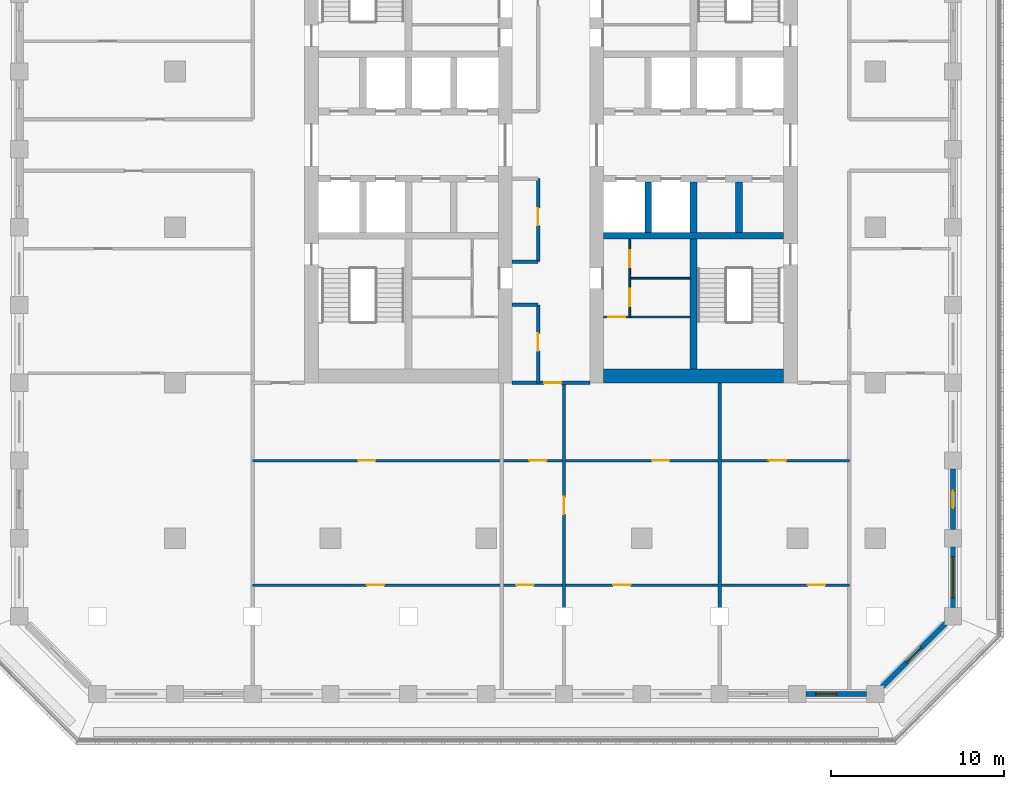
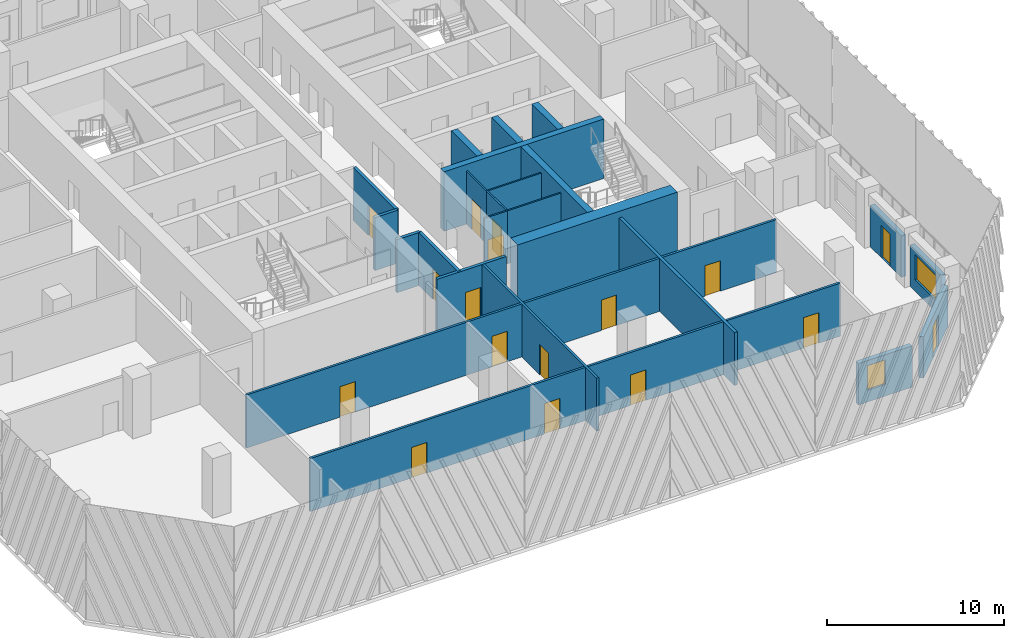
# One storey, part 4 of 17: 24 walls, 17 doors, 2 windows, 19 openings.
"""IFC4 building model written with IfcOpenShell, lengths in metres."""

from ifc_helpers import new_model, si_unit, direction, frame, frame_2d, origin, place, context, subcontext, project, spatial, rectangle, extrude, material, layer, layer_set, type_object, element, fill, save


model = new_model("IFC4")

# Units and contexts
model_context = context("Model", 3, precision=1e-05, world=origin(), true_north=direction((0.0, 1.0)))
body_context = subcontext(model_context, "Body", "Model", "MODEL_VIEW")
ifc_project = project(units=[si_unit("LENGTHUNIT", "METRE"), si_unit("AREAUNIT", "SQUARE_METRE"), si_unit("VOLUMEUNIT", "CUBIC_METRE"), si_unit("PLANEANGLEUNIT", "RADIAN"), si_unit("MASSUNIT", "GRAM", prefix="KILO")], contexts=[model_context])

# Site, building, storey
site_placement = place(None, origin())
site = spatial("IfcSite", under=ifc_project, at=site_placement, CompositionType="ELEMENT")
building_placement = place(site_placement, origin())
building = spatial("IfcBuilding", under=site, at=building_placement, Name="Corbel Stack Research Tower", CompositionType="ELEMENT")
storey_placement = place(building_placement, frame((0.0, 0.0, 156.800048828125)))
storey = spatial("IfcBuildingStorey", under=building, at=storey_placement, Name="L35", CompositionType="ELEMENT", Elevation=156.800048828125)

# Walls
ifc_material_1 = material(Name="Concrete C60/75", Category="concrete")
ifc_layer_1 = layer(ifc_material_1, 0.39990234375)
ifc_layer_set_1 = layer_set([ifc_layer_1], Name="Concrete C60/75")
wall_type_1 = type_object("IfcWallType", Name="CW-400-60", PredefinedType="SHEAR", material=ifc_layer_set_1)
wall_1_placement = place(storey_placement, frame((6.800048828125, -0.5, 0.0), z_axis=(0.0, 0.0, 1.0), x_axis=(1.0, 0.0, 0.0)))
element("IfcWall", 1, at=wall_1_placement, inside=storey, type_object=wall_type_1, Name="East core wall, south row back L35", PredefinedType="SHEAR", context=body_context, shape_type="SweptSolid", body=[
    extrude(rectangle(XDim=10.39990234375, YDim=0.39990234375, at=frame_2d((5.199951171875, 0.0))), origin(), (0.0, 0.0, 1.0), 4.099853515625),
])
for number, where, z_axis, x_axis, name in (
    (2, (9.375, -0.300048828125, 0.0), (0.0, 0.0, 1.0), (0.0, 1.0, 0.0), "East core wall, south shaft 1 L35"),
    (3, (12.0, -0.300048828125, 0.0), (0.0, 0.0, 1.0), (0.0, 1.0, 0.0), "East core wall, south shaft 2 L35"),
    (4, (14.625, -0.300048828125, 0.0), (0.0, 0.0, 1.0), (0.0, 1.0, 0.0), "East core wall, south shaft 3 L35"),
):
    element("IfcWall", number, at=place(storey_placement, frame(where, z_axis=z_axis, x_axis=x_axis)), inside=storey, type_object=wall_type_1, Name=name, PredefinedType="SHEAR", context=body_context, shape_type="SweptSolid", body=[
        extrude(rectangle(XDim=2.900146484375, YDim=0.39990234375, at=frame_2d((1.4501953125, 0.0))), origin(), (0.0, 0.0, 1.0), 4.099853515625),
    ])
wall_2_placement = place(storey_placement, frame((12.0, -8.199951171875, 0.0), z_axis=(0.0, 0.0, 1.0), x_axis=(0.0, 1.0, 0.0)))
element("IfcWall", 5, at=wall_2_placement, inside=storey, type_object=wall_type_1, Name="East core wall, south stair and WC L35", PredefinedType="SHEAR", context=body_context, shape_type="SweptSolid", body=[
    extrude(rectangle(XDim=7.5, YDim=0.39990234375, at=frame_2d((3.75, 0.0))), origin(), (0.0, 0.0, 1.0), 4.099853515625),
])
ifc_material_2 = material(Name="Concrete C60/75", Category="concrete")
ifc_layer_2 = layer(ifc_material_2, 0.800048828125)
ifc_layer_set_2 = layer_set([ifc_layer_2], Name="Concrete C60/75")
wall_type_2 = type_object("IfcWallType", Name="CW-800-60", PredefinedType="SHEAR", material=ifc_layer_set_2)
wall_3_placement = place(storey_placement, frame((6.800048828125, -8.60009765625, 0.0), z_axis=(0.0, 0.0, 1.0), x_axis=(1.0, 0.0, 0.0)))
element("IfcWall", 6, at=wall_3_placement, inside=storey, type_object=wall_type_2, Name="East core wall, south end L35", PredefinedType="SHEAR", context=body_context, shape_type="SweptSolid", body=[
    extrude(rectangle(XDim=10.39990234375, YDim=0.800048828125, at=frame_2d((5.199951171875, 0.0))), origin(), (0.0, 0.0, 1.0), 4.099853515625),
])

# Wall, opening, door
ifc_material_3 = material(Name="Gypsum board")
ifc_layer_3 = layer(ifc_material_3, 0.10009765625)
ifc_layer_set_3 = layer_set([ifc_layer_3], Name="Gypsum board")
wall_type_3 = type_object("IfcWallType", Name="Core partition 100", PredefinedType="PARTITIONING", material=ifc_layer_set_3)
wall_4_placement = place(storey_placement, frame((6.800048828125, -5.199951171875, 0.0), z_axis=(0.0, 0.0, 1.0), x_axis=(1.0, 0.0, 0.0)))
wall_4 = element("IfcWall", 7, at=wall_4_placement, inside=storey, type_object=wall_type_3, Name="Core partition E", PredefinedType="PARTITIONING", context=body_context, shape_type="SweptSolid", body=[
    extrude(rectangle(XDim=1.5, YDim=0.10009765625, at=frame_2d((0.75, 0.0))), origin(), (0.0, 0.0, 1.0), 3.64990234375),
])
opening_1_placement = place(wall_4_placement, frame((0.25, 0.0, 0.0)))
opening_1 = element("IfcOpeningElement", 8, at=opening_1_placement, cuts=wall_4, Name="Opening CR-E66-W2-1000", PredefinedType="OPENING", context=body_context, shape_type="SweptSolid", body=[
    extrude(rectangle(XDim=1.0, YDim=2.10009765625, at=frame_2d((0.5, 1.050048828125))), frame((0.0, 0.06005859375, 0.0), z_axis=(0.0, -1.0, 0.0), x_axis=(1.0, 0.0, 0.0)), (0.0, 0.0, 1.0), 0.1201171875),
])
ifc_material_4 = material(Name="Painted timber door", Category="wood")
door_type_1 = type_object("IfcDoorType", Name="WC door 1000 x 2100 left hand", OperationType="SINGLE_SWING_LEFT", PredefinedType="DOOR", material=ifc_material_4)
door_1_placement = place(opening_1_placement, origin())
door_1 = element("IfcDoor", 9, at=door_1_placement, inside=storey, type_object=door_type_1, Name="Accessible WC door E core", OperationType="SINGLE_SWING_LEFT", OverallHeight=2.10009765625, OverallWidth=1.0, PredefinedType="DOOR", context=body_context, shape_type="SweptSolid", body=[
    extrude(rectangle(XDim=1.0, YDim=2.10009765625, at=frame_2d((0.5, 1.050048828125))), frame((0.0, 0.02490234375, 0.0), z_axis=(0.0, -1.0, 0.0), x_axis=(1.0, 0.0, 0.0)), (0.0, 0.0, 1.0), 0.050048828125),
])
fill(opening_1, door_1)

wall_5_placement = place(storey_placement, frame((8.300048828125, -5.199951171875, 0.0), z_axis=(0.0, 0.0, 1.0), x_axis=(0.0, 1.0, 0.0)))
wall_5 = element("IfcWall", 10, at=wall_5_placement, inside=storey, type_object=wall_type_3, Name="Core partition E", PredefinedType="PARTITIONING", context=body_context, shape_type="SweptSolid", body=[
    extrude(rectangle(XDim=2.25, YDim=0.10009765625, at=frame_2d((1.125, 0.0))), origin(), (0.0, 0.0, 1.0), 3.64990234375),
])
opening_2_placement = place(wall_5_placement, frame((0.625, 0.0, 0.0)))
opening_2 = element("IfcOpeningElement", 11, at=opening_2_placement, cuts=wall_5, Name="Opening CR-E66-W3-1000", PredefinedType="OPENING", context=body_context, shape_type="SweptSolid", body=[
    extrude(rectangle(XDim=1.0, YDim=2.10009765625, at=frame_2d((0.5, 1.050048828125))), frame((0.0, 0.06005859375, 0.0), z_axis=(0.0, -1.0, 0.0), x_axis=(1.0, 0.0, 0.0)), (0.0, 0.0, 1.0), 0.1201171875),
])
ifc_material_5 = material(Name="Painted timber door", Category="wood")
door_type_2 = type_object("IfcDoorType", Name="WC door 1000 x 2100 right hand", OperationType="SINGLE_SWING_RIGHT", PredefinedType="DOOR", material=ifc_material_5)
door_2_placement = place(opening_2_placement, origin())
door_2 = element("IfcDoor", 12, at=door_2_placement, inside=storey, type_object=door_type_2, Name="Men's WC door E core", OperationType="SINGLE_SWING_RIGHT", OverallHeight=2.10009765625, OverallWidth=1.0, PredefinedType="DOOR", context=body_context, shape_type="SweptSolid", body=[
    extrude(rectangle(XDim=1.0, YDim=2.10009765625, at=frame_2d((0.5, 1.050048828125))), frame((0.0, 0.02490234375, 0.0), z_axis=(0.0, -1.0, 0.0), x_axis=(1.0, 0.0, 0.0)), (0.0, 0.0, 1.0), 0.050048828125),
])
fill(opening_2, door_2)

wall_6_placement = place(storey_placement, frame((8.300048828125, -2.949951171875, 0.0), z_axis=(0.0, 0.0, 1.0), x_axis=(0.0, 1.0, 0.0)))
wall_6 = element("IfcWall", 13, at=wall_6_placement, inside=storey, type_object=wall_type_3, Name="Core partition E", PredefinedType="PARTITIONING", context=body_context, shape_type="SweptSolid", body=[
    extrude(rectangle(XDim=2.25, YDim=0.10009765625, at=frame_2d((1.125, 0.0))), origin(), (0.0, 0.0, 1.0), 3.64990234375),
])
opening_3_placement = place(wall_6_placement, frame((0.625, 0.0, 0.0)))
opening_3 = element("IfcOpeningElement", 14, at=opening_3_placement, cuts=wall_6, Name="Opening CR-E66-W4-1000", PredefinedType="OPENING", context=body_context, shape_type="SweptSolid", body=[
    extrude(rectangle(XDim=1.0, YDim=2.10009765625, at=frame_2d((0.5, 1.050048828125))), frame((0.0, 0.06005859375, 0.0), z_axis=(0.0, -1.0, 0.0), x_axis=(1.0, 0.0, 0.0)), (0.0, 0.0, 1.0), 0.1201171875),
])
door_3_placement = place(opening_3_placement, origin())
door_3 = element("IfcDoor", 15, at=door_3_placement, inside=storey, type_object=door_type_1, Name="Women's WC door E core", OperationType="SINGLE_SWING_LEFT", OverallHeight=2.10009765625, OverallWidth=1.0, PredefinedType="DOOR", context=body_context, shape_type="SweptSolid", body=[
    extrude(rectangle(XDim=1.0, YDim=2.10009765625, at=frame_2d((0.5, 1.050048828125))), frame((0.0, 0.02490234375, 0.0), z_axis=(0.0, -1.0, 0.0), x_axis=(1.0, 0.0, 0.0)), (0.0, 0.0, 1.0), 0.050048828125),
])
fill(opening_3, door_3)

# Walls
for number, where, z_axis, x_axis, name in (
    (16, (8.300048828125, -5.199951171875, 0.0), (0.0, 0.0, 1.0), (1.0, 0.0, 0.0), "Core partition E"),
    (17, (8.300048828125, -2.949951171875, 0.0), (0.0, 0.0, 1.0), (1.0, 0.0, 0.0), "Core partition E"),
):
    element("IfcWall", number, at=place(storey_placement, frame(where, z_axis=z_axis, x_axis=x_axis)), inside=storey, type_object=wall_type_3, Name=name, PredefinedType="PARTITIONING", context=body_context, shape_type="SweptSolid", body=[
        extrude(rectangle(XDim=3.5, YDim=0.10009765625, at=frame_2d((1.75, 0.0))), origin(), (0.0, 0.0, 1.0), 3.64990234375),
    ])

# Wall, opening, door
ifc_material_6 = material(Name="Fire-rated gypsum board partition on steel studs", Category="steel")
ifc_layer_4 = layer(ifc_material_6, 0.14990234375)
ifc_layer_set_4 = layer_set([ifc_layer_4], Name="Fire-rated gypsum board partition on steel studs")
wall_type_4 = type_object("IfcWallType", Name="Fire-rated partition 150 EI 60", PredefinedType="PARTITIONING", material=ifc_layer_set_4)
wall_7_placement = place(storey_placement, frame((4.5, -9.0, 0.0), z_axis=(0.0, 0.0, 1.0), x_axis=(0.0, -1.0, 0.0)))
wall_7 = element("IfcWall", 18, at=wall_7_placement, inside=storey, type_object=wall_type_4, Name="Partition L35-011", PredefinedType="PARTITIONING", context=body_context, shape_type="SweptSolid", body=[
    extrude(rectangle(XDim=13.0, YDim=0.14990234375, at=frame_2d((6.5, 0.0))), origin(), (0.0, 0.0, 1.0), 3.64990234375),
])
opening_4_placement = place(wall_7_placement, frame((6.60009765625, 0.0, 0.0)))
opening_4 = element("IfcOpeningElement", 19, at=opening_4_placement, cuts=wall_7, Name="Opening B5V0H-020", PredefinedType="OPENING", context=body_context, shape_type="SweptSolid", body=[
    extrude(rectangle(XDim=1.0, YDim=2.10009765625, at=frame_2d((0.5, 1.050048828125))), frame((0.0, 0.0849609375, 0.0), z_axis=(0.0, -1.0, 0.0), x_axis=(1.0, 0.0, 0.0)), (0.0, 0.0, 1.0), 0.169921875),
])
ifc_material_7 = material(Name="Painted steel fire door", Category="steel")
door_type_3 = type_object("IfcDoorType", Name="Fire door FD30S 1000 x 2100", OperationType="NOTDEFINED", PredefinedType="DOOR", material=ifc_material_7)
door_4_placement = place(opening_4_placement, origin())
door_4 = element("IfcDoor", 20, at=door_4_placement, inside=storey, type_object=door_type_3, Name="Door B5V0H-020", OperationType="SINGLE_SWING_RIGHT", OverallHeight=2.10009765625, OverallWidth=1.0, PredefinedType="DOOR", context=body_context, shape_type="SweptSolid", body=[
    extrude(rectangle(XDim=1.0, YDim=2.10009765625, at=frame_2d((0.5, 1.050048828125))), frame((0.0, 0.02490234375, 0.0), z_axis=(0.0, -1.0, 0.0), x_axis=(1.0, 0.0, 0.0)), (0.0, 0.0, 1.0), 0.050048828125),
])
fill(opening_4, door_4)

ifc_material_8 = material(Name="Fire-rated gypsum board partition on steel studs", Category="steel")
ifc_layer_5 = layer(ifc_material_8, 0.199951171875)
ifc_layer_set_5 = layer_set([ifc_layer_5], Name="Fire-rated gypsum board partition on steel studs")
wall_type_5 = type_object("IfcWallType", Name="Fire-rated partition 200 EI 60", PredefinedType="PARTITIONING", material=ifc_layer_set_5)
wall_8_placement = place(storey_placement, frame((3.0, -9.0, 0.0), z_axis=(0.0, 0.0, 1.0), x_axis=(0.0, 1.0, 0.0)))
wall_8 = element("IfcWall", 21, at=wall_8_placement, inside=storey, type_object=wall_type_5, Name="Partition L35-007", PredefinedType="PARTITIONING", context=body_context, shape_type="SweptSolid", body=[
    extrude(rectangle(XDim=4.5, YDim=0.199951171875, at=frame_2d((2.25, 0.0))), origin(), (0.0, 0.0, 1.0), 3.64990234375),
])
opening_5_placement = place(wall_8_placement, frame((1.85009765625, 0.0, 0.0)))
opening_5 = element("IfcOpeningElement", 22, at=opening_5_placement, cuts=wall_8, Name="Opening B5V0H-016", PredefinedType="OPENING", context=body_context, shape_type="SweptSolid", body=[
    extrude(rectangle(XDim=1.0, YDim=2.10009765625, at=frame_2d((0.5, 1.050048828125))), frame((0.0, 0.10986328125, 0.0), z_axis=(0.0, -1.0, 0.0), x_axis=(1.0, 0.0, 0.0)), (0.0, 0.0, 1.0), 0.219970703125),
])
door_5_placement = place(opening_5_placement, origin())
door_5 = element("IfcDoor", 23, at=door_5_placement, inside=storey, type_object=door_type_3, Name="Door B5V0H-016", OperationType="SINGLE_SWING_RIGHT", OverallHeight=2.10009765625, OverallWidth=1.0, PredefinedType="DOOR", context=body_context, shape_type="SweptSolid", body=[
    extrude(rectangle(XDim=1.0, YDim=2.10009765625, at=frame_2d((0.5, 1.050048828125))), frame((0.0, 0.02490234375, 0.0), z_axis=(0.0, -1.0, 0.0), x_axis=(1.0, 0.0, 0.0)), (0.0, 0.0, 1.0), 0.050048828125),
])
fill(opening_5, door_5)

wall_9_placement = place(storey_placement, frame((3.0, -2.0, 0.0), z_axis=(0.0, 0.0, 1.0), x_axis=(0.0, 1.0, 0.0)))
wall_9 = element("IfcWall", 24, at=wall_9_placement, inside=storey, type_object=wall_type_5, Name="Partition L35-008", PredefinedType="PARTITIONING", context=body_context, shape_type="SweptSolid", body=[
    extrude(rectangle(XDim=4.800048828125, YDim=0.199951171875, at=frame_2d((2.39990234375, 0.0))), origin(), (0.0, 0.0, 1.0), 3.64990234375),
])
opening_6_placement = place(wall_9_placement, frame((2.10009765625, 0.0, 0.0)))
opening_6 = element("IfcOpeningElement", 25, at=opening_6_placement, cuts=wall_9, Name="Opening B5V0H-017", PredefinedType="OPENING", context=body_context, shape_type="SweptSolid", body=[
    extrude(rectangle(XDim=1.0, YDim=2.10009765625, at=frame_2d((0.5, 1.050048828125))), frame((0.0, 0.10986328125, 0.0), z_axis=(0.0, -1.0, 0.0), x_axis=(1.0, 0.0, 0.0)), (0.0, 0.0, 1.0), 0.219970703125),
])
door_6_placement = place(opening_6_placement, origin())
door_6 = element("IfcDoor", 26, at=door_6_placement, inside=storey, type_object=door_type_3, Name="Door B5V0H-017", OperationType="SINGLE_SWING_RIGHT", OverallHeight=2.10009765625, OverallWidth=1.0, PredefinedType="DOOR", context=body_context, shape_type="SweptSolid", body=[
    extrude(rectangle(XDim=1.0, YDim=2.10009765625, at=frame_2d((0.5, 1.050048828125))), frame((0.0, 0.02490234375, 0.0), z_axis=(0.0, -1.0, 0.0), x_axis=(1.0, 0.0, 0.0)), (0.0, 0.0, 1.0), 0.050048828125),
])
fill(opening_6, door_6)

# Wall
wall_10_placement = place(storey_placement, frame((13.5, -22.0, 0.0), z_axis=(0.0, 0.0, 1.0), x_axis=(0.0, 1.0, 0.0)))
element("IfcWall", 27, at=wall_10_placement, inside=storey, type_object=wall_type_5, Name="Partition L35-014", PredefinedType="PARTITIONING", context=body_context, shape_type="SweptSolid", body=[
    extrude(rectangle(XDim=13.0, YDim=0.199951171875, at=frame_2d((6.5, 0.0))), origin(), (0.0, 0.0, 1.0), 3.64990234375),
])

# Wall, opening, door
wall_11_placement = place(storey_placement, frame((6.0, -9.0, 0.0), z_axis=(0.0, 0.0, 1.0), x_axis=(-1.0, 0.0, 0.0)))
wall_11 = element("IfcWall", 28, at=wall_11_placement, inside=storey, type_object=wall_type_5, Name="Partition L35-021", PredefinedType="PARTITIONING", context=body_context, shape_type="SweptSolid", body=[
    extrude(rectangle(XDim=4.5, YDim=0.199951171875, at=frame_2d((2.25, 0.0))), origin(), (0.0, 0.0, 1.0), 3.64990234375),
])
opening_7_placement = place(wall_11_placement, frame((1.64990234375, 0.0, 0.0)))
opening_7 = element("IfcOpeningElement", 29, at=opening_7_placement, cuts=wall_11, Name="Opening B5V0H-010", PredefinedType="OPENING", context=body_context, shape_type="SweptSolid", body=[
    extrude(rectangle(XDim=1.0, YDim=2.10009765625, at=frame_2d((0.5, 1.050048828125))), frame((0.0, 0.10986328125, 0.0), z_axis=(0.0, -1.0, 0.0), x_axis=(1.0, 0.0, 0.0)), (0.0, 0.0, 1.0), 0.219970703125),
])
door_7_placement = place(opening_7_placement, origin())
door_7 = element("IfcDoor", 30, at=door_7_placement, inside=storey, type_object=door_type_3, Name="Door B5V0H-010", OperationType="SINGLE_SWING_LEFT", OverallHeight=2.10009765625, OverallWidth=1.0, PredefinedType="DOOR", context=body_context, shape_type="SweptSolid", body=[
    extrude(rectangle(XDim=1.0, YDim=2.10009765625, at=frame_2d((0.5, 1.050048828125))), frame((0.0, 0.02490234375, 0.0), z_axis=(0.0, -1.0, 0.0), x_axis=(1.0, 0.0, 0.0)), (0.0, 0.0, 1.0), 0.050048828125),
])
fill(opening_7, door_7)

# Walls
for number, where, z_axis, x_axis, name in (
    (31, (1.5, -4.5, 0.0), (0.0, 0.0, 1.0), (1.0, 0.0, 0.0), "Partition L35-027"),
    (32, (1.5, -2.0, 0.0), (0.0, 0.0, 1.0), (1.0, 0.0, 0.0), "Partition L35-028"),
):
    element("IfcWall", number, at=place(storey_placement, frame(where, z_axis=z_axis, x_axis=x_axis)), inside=storey, type_object=wall_type_5, Name=name, PredefinedType="PARTITIONING", context=body_context, shape_type="SweptSolid", body=[
        extrude(rectangle(XDim=1.5, YDim=0.199951171875, at=frame_2d((0.75, 0.0))), origin(), (0.0, 0.0, 1.0), 3.64990234375),
    ])

# Wall, openings, doors
ifc_material_9 = material(Name="Gypsum board partition on steel studs", Category="steel")
ifc_layer_6 = layer(ifc_material_9, 0.14990234375)
ifc_layer_set_6 = layer_set([ifc_layer_6], Name="Gypsum board partition on steel studs")
wall_type_6 = type_object("IfcWallType", Name="Partition 150", PredefinedType="PARTITIONING", material=ifc_layer_set_6)
wall_12_placement = place(storey_placement, frame((21.0, -20.699951171875, 0.0), z_axis=(0.0, 0.0, 1.0), x_axis=(-1.0, 0.0, 0.0)))
wall_12 = element("IfcWall", 33, at=wall_12_placement, inside=storey, type_object=wall_type_6, Name="Partition L35-018", PredefinedType="PARTITIONING", context=body_context, shape_type="SweptSolid", body=[
    extrude(rectangle(XDim=34.5, YDim=0.14990234375, at=frame_2d((17.25, 0.0))), origin(), (0.0, 0.0, 1.0), 3.64990234375),
])
opening_8_placement = place(wall_12_placement, frame((26.89990234375, 0.0, 0.0)))
opening_8 = element("IfcOpeningElement", 34, at=opening_8_placement, cuts=wall_12, Name="Opening B5V0H-001", PredefinedType="OPENING", context=body_context, shape_type="SweptSolid", body=[
    extrude(rectangle(XDim=1.0, YDim=2.10009765625, at=frame_2d((0.5, 1.050048828125))), frame((0.0, 0.0849609375, 0.0), z_axis=(0.0, -1.0, 0.0), x_axis=(1.0, 0.0, 0.0)), (0.0, 0.0, 1.0), 0.169921875),
])
opening_9_placement = place(wall_12_placement, frame((18.25, 0.0, 0.0)))
opening_9 = element("IfcOpeningElement", 35, at=opening_9_placement, cuts=wall_12, Name="Opening B5V0H-002", PredefinedType="OPENING", context=body_context, shape_type="SweptSolid", body=[
    extrude(rectangle(XDim=1.0, YDim=2.10009765625, at=frame_2d((0.5, 1.050048828125))), frame((0.0, 0.0849609375, 0.0), z_axis=(0.0, -1.0, 0.0), x_axis=(1.0, 0.0, 0.0)), (0.0, 0.0, 1.0), 0.169921875),
])
opening_10_placement = place(wall_12_placement, frame((12.64990234375, 0.0, 0.0)))
opening_10 = element("IfcOpeningElement", 36, at=opening_10_placement, cuts=wall_12, Name="Opening B5V0H-003", PredefinedType="OPENING", context=body_context, shape_type="SweptSolid", body=[
    extrude(rectangle(XDim=1.0, YDim=2.10009765625, at=frame_2d((0.5, 1.050048828125))), frame((0.0, 0.0849609375, 0.0), z_axis=(0.0, -1.0, 0.0), x_axis=(1.0, 0.0, 0.0)), (0.0, 0.0, 1.0), 0.169921875),
])
opening_11_placement = place(wall_12_placement, frame((1.39990234375, 0.0, 0.0)))
opening_11 = element("IfcOpeningElement", 37, at=opening_11_placement, cuts=wall_12, Name="Opening B5V0H-004", PredefinedType="OPENING", context=body_context, shape_type="SweptSolid", body=[
    extrude(rectangle(XDim=1.0, YDim=2.10009765625, at=frame_2d((0.5, 1.050048828125))), frame((0.0, 0.0849609375, 0.0), z_axis=(0.0, -1.0, 0.0), x_axis=(1.0, 0.0, 0.0)), (0.0, 0.0, 1.0), 0.169921875),
])
ifc_material_10 = material(Name="Painted timber door", Category="wood")
door_type_4 = type_object("IfcDoorType", Name="Single door 1000 x 2100", OperationType="NOTDEFINED", PredefinedType="DOOR", material=ifc_material_10)
door_8_placement = place(opening_8_placement, origin())
door_8 = element("IfcDoor", 38, at=door_8_placement, inside=storey, type_object=door_type_4, Name="Door B5V0H-001", OperationType="SINGLE_SWING_RIGHT", OverallHeight=2.10009765625, OverallWidth=1.0, PredefinedType="DOOR", context=body_context, shape_type="SweptSolid", body=[
    extrude(rectangle(XDim=1.0, YDim=2.10009765625, at=frame_2d((0.5, 1.050048828125))), frame((0.0, 0.02490234375, 0.0), z_axis=(0.0, -1.0, 0.0), x_axis=(1.0, 0.0, 0.0)), (0.0, 0.0, 1.0), 0.050048828125),
])
fill(opening_8, door_8)
door_9_placement = place(opening_9_placement, origin())
door_9 = element("IfcDoor", 39, at=door_9_placement, inside=storey, type_object=door_type_4, Name="Door B5V0H-002", OperationType="SINGLE_SWING_RIGHT", OverallHeight=2.10009765625, OverallWidth=1.0, PredefinedType="DOOR", context=body_context, shape_type="SweptSolid", body=[
    extrude(rectangle(XDim=1.0, YDim=2.10009765625, at=frame_2d((0.5, 1.050048828125))), frame((0.0, 0.02490234375, 0.0), z_axis=(0.0, -1.0, 0.0), x_axis=(1.0, 0.0, 0.0)), (0.0, 0.0, 1.0), 0.050048828125),
])
fill(opening_9, door_9)
door_10_placement = place(opening_10_placement, origin())
door_10 = element("IfcDoor", 40, at=door_10_placement, inside=storey, type_object=door_type_4, Name="Door B5V0H-003", OperationType="SINGLE_SWING_LEFT", OverallHeight=2.10009765625, OverallWidth=1.0, PredefinedType="DOOR", context=body_context, shape_type="SweptSolid", body=[
    extrude(rectangle(XDim=1.0, YDim=2.10009765625, at=frame_2d((0.5, 1.050048828125))), frame((0.0, 0.02490234375, 0.0), z_axis=(0.0, -1.0, 0.0), x_axis=(1.0, 0.0, 0.0)), (0.0, 0.0, 1.0), 0.050048828125),
])
fill(opening_10, door_10)
door_11_placement = place(opening_11_placement, origin())
door_11 = element("IfcDoor", 41, at=door_11_placement, inside=storey, type_object=door_type_4, Name="Door B5V0H-004", OperationType="SINGLE_SWING_LEFT", OverallHeight=2.10009765625, OverallWidth=1.0, PredefinedType="DOOR", context=body_context, shape_type="SweptSolid", body=[
    extrude(rectangle(XDim=1.0, YDim=2.10009765625, at=frame_2d((0.5, 1.050048828125))), frame((0.0, 0.02490234375, 0.0), z_axis=(0.0, -1.0, 0.0), x_axis=(1.0, 0.0, 0.0)), (0.0, 0.0, 1.0), 0.050048828125),
])
fill(opening_11, door_11)

wall_13_placement = place(storey_placement, frame((21.0, -13.5, 0.0), z_axis=(0.0, 0.0, 1.0), x_axis=(-1.0, 0.0, 0.0)))
wall_13 = element("IfcWall", 42, at=wall_13_placement, inside=storey, type_object=wall_type_6, Name="Partition L35-019", PredefinedType="PARTITIONING", context=body_context, shape_type="SweptSolid", body=[
    extrude(rectangle(XDim=34.5, YDim=0.14990234375, at=frame_2d((17.25, 0.0))), origin(), (0.0, 0.0, 1.0), 3.64990234375),
])
opening_12_placement = place(wall_13_placement, frame((27.39990234375, 0.0, 0.0)))
opening_12 = element("IfcOpeningElement", 43, at=opening_12_placement, cuts=wall_13, Name="Opening B5V0H-005", PredefinedType="OPENING", context=body_context, shape_type="SweptSolid", body=[
    extrude(rectangle(XDim=1.0, YDim=2.10009765625, at=frame_2d((0.5, 1.050048828125))), frame((0.0, 0.0849609375, 0.0), z_axis=(0.0, -1.0, 0.0), x_axis=(1.0, 0.0, 0.0)), (0.0, 0.0, 1.0), 0.169921875),
])
opening_13_placement = place(wall_13_placement, frame((17.5, 0.0, 0.0)))
opening_13 = element("IfcOpeningElement", 44, at=opening_13_placement, cuts=wall_13, Name="Opening B5V0H-006", PredefinedType="OPENING", context=body_context, shape_type="SweptSolid", body=[
    extrude(rectangle(XDim=1.0, YDim=2.10009765625, at=frame_2d((0.5, 1.050048828125))), frame((0.0, 0.0849609375, 0.0), z_axis=(0.0, -1.0, 0.0), x_axis=(1.0, 0.0, 0.0)), (0.0, 0.0, 1.0), 0.169921875),
])
opening_14_placement = place(wall_13_placement, frame((10.39990234375, 0.0, 0.0)))
opening_14 = element("IfcOpeningElement", 45, at=opening_14_placement, cuts=wall_13, Name="Opening B5V0H-007", PredefinedType="OPENING", context=body_context, shape_type="SweptSolid", body=[
    extrude(rectangle(XDim=1.0, YDim=2.10009765625, at=frame_2d((0.5, 1.050048828125))), frame((0.0, 0.0849609375, 0.0), z_axis=(0.0, -1.0, 0.0), x_axis=(1.0, 0.0, 0.0)), (0.0, 0.0, 1.0), 0.169921875),
])
opening_15_placement = place(wall_13_placement, frame((3.64990234375, 0.0, 0.0)))
opening_15 = element("IfcOpeningElement", 46, at=opening_15_placement, cuts=wall_13, Name="Opening B5V0H-008", PredefinedType="OPENING", context=body_context, shape_type="SweptSolid", body=[
    extrude(rectangle(XDim=1.0, YDim=2.10009765625, at=frame_2d((0.5, 1.050048828125))), frame((0.0, 0.0849609375, 0.0), z_axis=(0.0, -1.0, 0.0), x_axis=(1.0, 0.0, 0.0)), (0.0, 0.0, 1.0), 0.169921875),
])
door_12_placement = place(opening_12_placement, origin())
door_12 = element("IfcDoor", 47, at=door_12_placement, inside=storey, type_object=door_type_4, Name="Door B5V0H-005", OperationType="SINGLE_SWING_RIGHT", OverallHeight=2.10009765625, OverallWidth=1.0, PredefinedType="DOOR", context=body_context, shape_type="SweptSolid", body=[
    extrude(rectangle(XDim=1.0, YDim=2.10009765625, at=frame_2d((0.5, 1.050048828125))), frame((0.0, 0.02490234375, 0.0), z_axis=(0.0, -1.0, 0.0), x_axis=(1.0, 0.0, 0.0)), (0.0, 0.0, 1.0), 0.050048828125),
])
fill(opening_12, door_12)
door_13_placement = place(opening_13_placement, origin())
door_13 = element("IfcDoor", 48, at=door_13_placement, inside=storey, type_object=door_type_4, Name="Door B5V0H-006", OperationType="SINGLE_SWING_RIGHT", OverallHeight=2.10009765625, OverallWidth=1.0, PredefinedType="DOOR", context=body_context, shape_type="SweptSolid", body=[
    extrude(rectangle(XDim=1.0, YDim=2.10009765625, at=frame_2d((0.5, 1.050048828125))), frame((0.0, 0.02490234375, 0.0), z_axis=(0.0, -1.0, 0.0), x_axis=(1.0, 0.0, 0.0)), (0.0, 0.0, 1.0), 0.050048828125),
])
fill(opening_13, door_13)
door_14_placement = place(opening_14_placement, origin())
door_14 = element("IfcDoor", 49, at=door_14_placement, inside=storey, type_object=door_type_4, Name="Door B5V0H-007", OperationType="SINGLE_SWING_LEFT", OverallHeight=2.10009765625, OverallWidth=1.0, PredefinedType="DOOR", context=body_context, shape_type="SweptSolid", body=[
    extrude(rectangle(XDim=1.0, YDim=2.10009765625, at=frame_2d((0.5, 1.050048828125))), frame((0.0, 0.02490234375, 0.0), z_axis=(0.0, -1.0, 0.0), x_axis=(1.0, 0.0, 0.0)), (0.0, 0.0, 1.0), 0.050048828125),
])
fill(opening_14, door_14)
door_15_placement = place(opening_15_placement, origin())
door_15 = element("IfcDoor", 50, at=door_15_placement, inside=storey, type_object=door_type_4, Name="Door B5V0H-008", OperationType="SINGLE_SWING_LEFT", OverallHeight=2.10009765625, OverallWidth=1.0, PredefinedType="DOOR", context=body_context, shape_type="SweptSolid", body=[
    extrude(rectangle(XDim=1.0, YDim=2.10009765625, at=frame_2d((0.5, 1.050048828125))), frame((0.0, 0.02490234375, 0.0), z_axis=(0.0, -1.0, 0.0), x_axis=(1.0, 0.0, 0.0)), (0.0, 0.0, 1.0), 0.050048828125),
])
fill(opening_15, door_15)

# Wall, opening, window
ifc_material_11 = material(Name="Concrete C45/55", Category="concrete")
ifc_layer_7 = layer(ifc_material_11, 0.300048828125)
ifc_layer_set_7 = layer_set([ifc_layer_7], Name="Concrete C45/55")
wall_type_7 = type_object("IfcWallType", Name="Terracotta-faced concrete wall 300", PredefinedType="SOLIDWALL", material=ifc_layer_set_7)
wall_14_placement = place(storey_placement, frame((22.0, -27.0, 0.0), z_axis=(0.0, 0.0, 1.0), x_axis=(-1.0, 0.0, 0.0)))
wall_14 = element("IfcWall", 51, at=wall_14_placement, inside=storey, type_object=wall_type_7, Name="Facade wall L35 S10", PredefinedType="SOLIDWALL", context=body_context, shape_type="SweptSolid", body=[
    extrude(rectangle(XDim=3.5, YDim=0.300048828125, at=frame_2d((1.75, 0.0))), origin(), (0.0, 0.0, 1.0), 2.849853515625),
])
opening_16_placement = place(wall_14_placement, frame((1.72509765625, 0.0, 0.800048828125)))
opening_16 = element("IfcOpeningElement", 52, at=opening_16_placement, cuts=wall_14, Name="Opening W2", PredefinedType="OPENING", context=body_context, shape_type="SweptSolid", body=[
    extrude(rectangle(XDim=1.199951171875, YDim=1.699951171875, at=frame_2d((0.60009765625, 0.85009765625))), frame((0.0, 0.159912109375, 0.0), z_axis=(0.0, -1.0, 0.0), x_axis=(1.0, 0.0, 0.0)), (0.0, 0.0, 1.0), 0.320068359375),
])
ifc_material_12 = material(Name="Aluminium frame, clear double glazing", Category="aluminium")
window_type_1 = type_object("IfcWindowType", Name="Window W2 1200 x 1700", PartitioningType="SINGLE_PANEL", PredefinedType="WINDOW", material=ifc_material_12)
window_1_placement = place(opening_16_placement, origin())
window_1 = element("IfcWindow", 53, at=window_1_placement, inside=storey, type_object=window_type_1, Name="Window W2 L35 S10", OverallHeight=1.699951171875, OverallWidth=1.199951171875, PartitioningType="SINGLE_PANEL", PredefinedType="WINDOW", context=body_context, shape_type="SweptSolid", body=[
    extrude(rectangle(XDim=1.199951171875, YDim=1.699951171875, at=frame_2d((0.60009765625, 0.85009765625))), frame((0.0, 0.030029296875, 0.0), z_axis=(0.0, -1.0, 0.0), x_axis=(1.0, 0.0, 0.0)), (0.0, 0.0, 1.0), 0.06005859375),
])
fill(opening_16, window_1)

# Wall, opening, door
wall_15_placement = place(storey_placement, frame((26.606201171875, -22.893798828125, 0.0), z_axis=(0.0, 0.0, 1.0), x_axis=(-0.707106781187, -0.707106781187, 0.0)))
wall_15 = element("IfcWall", 54, at=wall_15_placement, inside=storey, type_object=wall_type_7, Name="Facade wall L35 SE01", PredefinedType="SOLIDWALL", context=body_context, shape_type="SweptSolid", body=[
    extrude(rectangle(XDim=5.250244140625, YDim=0.300048828125, at=frame_2d((2.625, 0.0))), origin(), (0.0, 0.0, 1.0), 2.849853515625),
])
opening_17_placement = place(wall_15_placement, frame((2.02490234375, 0.0, 0.0)))
opening_17 = element("IfcOpeningElement", 55, at=opening_17_placement, cuts=wall_15, Name="Opening L35-B03", PredefinedType="OPENING", context=body_context, shape_type="SweptSolid", body=[
    extrude(rectangle(XDim=1.199951171875, YDim=2.199951171875, at=frame_2d((0.60009765625, 1.10009765625))), frame((0.0, 0.159912109375, 0.0), z_axis=(0.0, -1.0, 0.0), x_axis=(1.0, 0.0, 0.0)), (0.0, 0.0, 1.0), 0.320068359375),
])
ifc_material_13 = material(Name="Aluminium frame, clear double glazing", Category="aluminium")
door_type_5 = type_object("IfcDoorType", Name="Balcony door BD2 1200 x 2200", OperationType="NOTDEFINED", PredefinedType="DOOR", material=ifc_material_13)
door_16_placement = place(opening_17_placement, origin())
door_16 = element("IfcDoor", 56, at=door_16_placement, inside=storey, type_object=door_type_5, Name="Balcony door L35-B03", OperationType="SINGLE_SWING_RIGHT", OverallHeight=2.199951171875, OverallWidth=1.199951171875, PredefinedType="DOOR", context=body_context, shape_type="SweptSolid", body=[
    extrude(rectangle(XDim=1.199951171875, YDim=2.199951171875, at=frame_2d((0.60009765625, 1.10009765625))), frame((0.0, 0.02490234375, 0.0), z_axis=(0.0, -1.0, 0.0), x_axis=(1.0, 0.0, 0.0)), (0.0, 0.0, 1.0), 0.050048828125),
])
fill(opening_17, door_16)

# Wall, opening, window
wall_16_placement = place(storey_placement, frame((27.0, -18.5, 0.0), z_axis=(0.0, 0.0, 1.0), x_axis=(0.0, -1.0, 0.0)))
wall_16 = element("IfcWall", 57, at=wall_16_placement, inside=storey, type_object=wall_type_7, Name="Facade wall L35 E01", PredefinedType="SOLIDWALL", context=body_context, shape_type="SweptSolid", body=[
    extrude(rectangle(XDim=3.5, YDim=0.300048828125, at=frame_2d((1.75, 0.0))), origin(), (0.0, 0.0, 1.0), 2.849853515625),
])
opening_18_placement = place(wall_16_placement, frame((0.550048828125, 0.0, 0.800048828125)))
opening_18 = element("IfcOpeningElement", 58, at=opening_18_placement, cuts=wall_16, Name="Opening W1", PredefinedType="OPENING", context=body_context, shape_type="SweptSolid", body=[
    extrude(rectangle(XDim=2.39990234375, YDim=1.699951171875, at=frame_2d((1.199951171875, 0.85009765625))), frame((0.0, 0.159912109375, 0.0), z_axis=(0.0, -1.0, 0.0), x_axis=(1.0, 0.0, 0.0)), (0.0, 0.0, 1.0), 0.320068359375),
])
ifc_material_14 = material(Name="Aluminium frame, clear double glazing", Category="aluminium")
window_type_2 = type_object("IfcWindowType", Name="Window W1 2400 x 1700", PartitioningType="SINGLE_PANEL", PredefinedType="WINDOW", material=ifc_material_14)
window_2_placement = place(opening_18_placement, origin())
window_2 = element("IfcWindow", 59, at=window_2_placement, inside=storey, type_object=window_type_2, Name="Window W1 L35 E01", OverallHeight=1.699951171875, OverallWidth=2.39990234375, PartitioningType="SINGLE_PANEL", PredefinedType="WINDOW", context=body_context, shape_type="SweptSolid", body=[
    extrude(rectangle(XDim=2.39990234375, YDim=1.699951171875, at=frame_2d((1.199951171875, 0.85009765625))), frame((0.0, 0.030029296875, 0.0), z_axis=(0.0, -1.0, 0.0), x_axis=(1.0, 0.0, 0.0)), (0.0, 0.0, 1.0), 0.06005859375),
])
fill(opening_18, window_2)

# Wall, opening, door
wall_17_placement = place(storey_placement, frame((27.0, -14.0, 0.0), z_axis=(0.0, 0.0, 1.0), x_axis=(0.0, -1.0, 0.0)))
wall_17 = element("IfcWall", 60, at=wall_17_placement, inside=storey, type_object=wall_type_7, Name="Facade wall L35 E02", PredefinedType="SOLIDWALL", context=body_context, shape_type="SweptSolid", body=[
    extrude(rectangle(XDim=3.5, YDim=0.300048828125, at=frame_2d((1.75, 0.0))), origin(), (0.0, 0.0, 1.0), 2.849853515625),
])
opening_19_placement = place(wall_17_placement, frame((1.25, 0.0, 0.0)))
opening_19 = element("IfcOpeningElement", 61, at=opening_19_placement, cuts=wall_17, Name="Opening L35-B04", PredefinedType="OPENING", context=body_context, shape_type="SweptSolid", body=[
    extrude(rectangle(XDim=1.0, YDim=2.199951171875, at=frame_2d((0.5, 1.10009765625))), frame((0.0, 0.159912109375, 0.0), z_axis=(0.0, -1.0, 0.0), x_axis=(1.0, 0.0, 0.0)), (0.0, 0.0, 1.0), 0.320068359375),
])
ifc_material_15 = material(Name="Aluminium frame, clear double glazing", Category="aluminium")
door_type_6 = type_object("IfcDoorType", Name="Balcony door BD1 1000 x 2200", OperationType="NOTDEFINED", PredefinedType="DOOR", material=ifc_material_15)
door_17_placement = place(opening_19_placement, origin())
door_17 = element("IfcDoor", 62, at=door_17_placement, inside=storey, type_object=door_type_6, Name="Balcony door L35-B04", OperationType="SINGLE_SWING_LEFT", OverallHeight=2.199951171875, OverallWidth=1.0, PredefinedType="DOOR", context=body_context, shape_type="SweptSolid", body=[
    extrude(rectangle(XDim=1.0, YDim=2.199951171875, at=frame_2d((0.5, 1.10009765625))), frame((0.0, 0.02490234375, 0.0), z_axis=(0.0, -1.0, 0.0), x_axis=(1.0, 0.0, 0.0)), (0.0, 0.0, 1.0), 0.050048828125),
])
fill(opening_19, door_17)

save(model, "model.ifc")
